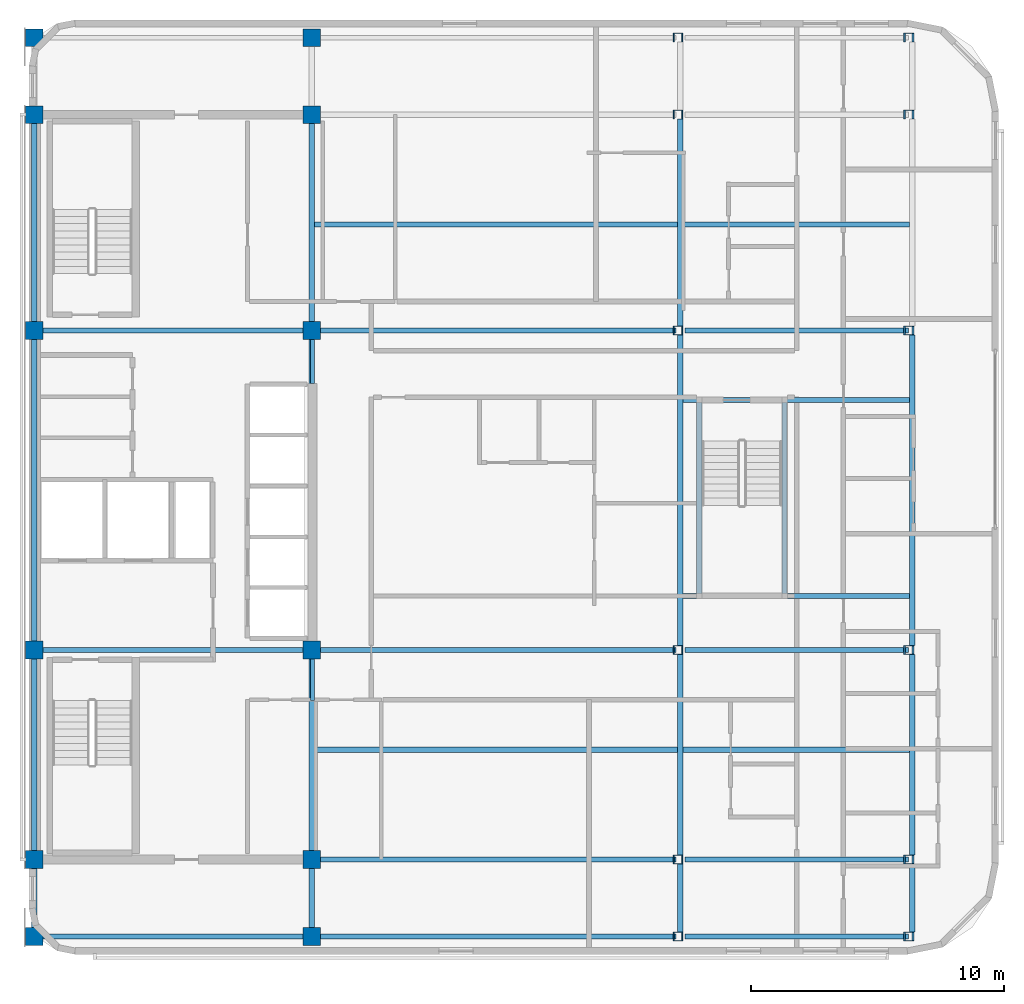
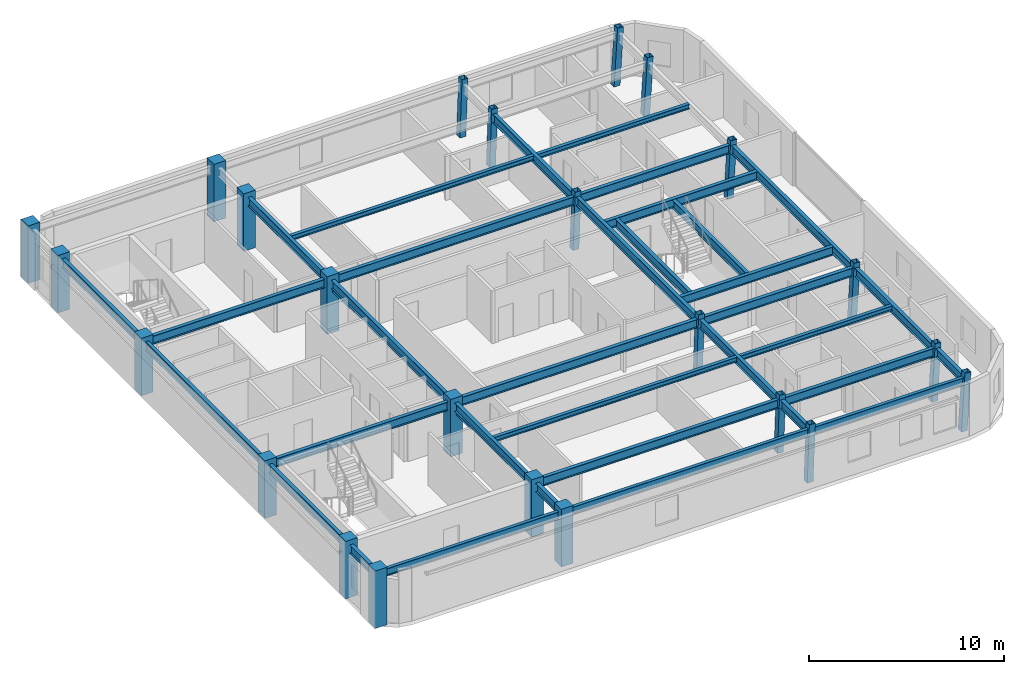
# One storey, part 1 of 11: 36 beams, 24 columns.
"""IFC4 building model written with IfcOpenShell, lengths in metres."""

from ifc_helpers import new_model, si_unit, direction, frame, origin, origin_2d, place, context, subcontext, project, spatial, rectangle, hollow_rectangle, i_section, extrude, material, material_profile, profile_set, type_object, element, save


model = new_model("IFC4")

# Units and contexts
model_context = context("Model", 3, precision=1e-05, world=origin(), true_north=direction((0.0, 1.0)))
body_context = subcontext(model_context, "Body", "Model", "MODEL_VIEW")
ifc_project = project(units=[si_unit("LENGTHUNIT", "METRE"), si_unit("AREAUNIT", "SQUARE_METRE"), si_unit("VOLUMEUNIT", "CUBIC_METRE"), si_unit("PLANEANGLEUNIT", "RADIAN"), si_unit("MASSUNIT", "GRAM", prefix="KILO")], contexts=[model_context])

# Site, building, storey
site_placement = place(None, origin())
site = spatial("IfcSite", under=ifc_project, at=site_placement, CompositionType="ELEMENT")
building_placement = place(site_placement, origin())
building = spatial("IfcBuilding", under=site, at=building_placement, Name="Ochreholt Gables", CompositionType="ELEMENT")
storey_placement = place(building_placement, frame((0.0, 0.0, 278.39990234375)))
storey = spatial("IfcBuildingStorey", under=building, at=storey_placement, Name="L73", CompositionType="ELEMENT", Elevation=278.39990234375)

# Columns
ifc_material_1 = material(Name="Steel CSA G40.21 350W", Category="steel")
ifc_material_profile_1 = material_profile(ifc_material_1, hollow_rectangle(XDim=0.35595703125, YDim=0.35595703125, WallThickness=0.01611328125, at=origin_2d()), Name="HSS356X356X16")
ifc_profile_set_1 = profile_set([ifc_material_profile_1], Name="Steel CSA G40.21 350W")
column_type_1 = type_object("IfcColumnType", Name="COL-HSS356-RAK", PredefinedType="COLUMN", material=ifc_profile_set_1)
for number, where, z_axis, x_axis, name in (
    (1, (49.679931640625, 9.25, 0.0), (0.034971136209, 0.0, 0.999388322742), (0.0, 1.0, 0.0), "L73 Column EMY2"),
    (2, (49.679931640625, 17.550048828125, 0.0), (0.034971136209, 0.0, 0.999388322742), (0.0, 1.0, 0.0), "L73 Column EMY3"),
    (3, (49.679931640625, 30.199951171875, 0.0), (0.034971136209, 0.0, 0.999388322742), (0.0, 1.0, 0.0), "L73 Column EMY4"),
    (4, (49.679931640625, 38.75, 0.0), (0.034971136209, 0.0, 0.999388322742), (0.0, 1.0, 0.0), "L73 Column EMY5"),
):
    element("IfcColumn", number, at=place(storey_placement, frame(where, z_axis=z_axis, x_axis=x_axis)), inside=storey, type_object=column_type_1, Name=name, PredefinedType="COLUMN", context=body_context, shape_type="SweptSolid", body=[
        extrude(hollow_rectangle(XDim=0.35595703125, YDim=0.35595703125, WallThickness=0.01611328125, at=origin_2d()), origin(), (0.0, 0.0, 1.0), 3.602294921875),
    ])
ifc_material_profile_2 = material_profile(ifc_material_1, hollow_rectangle(XDim=0.35595703125, YDim=0.35595703125, WallThickness=0.01611328125, at=origin_2d()), Name="HSS356X356X16")
ifc_profile_set_2 = profile_set([ifc_material_profile_2], Name="Steel CSA G40.21 350W")
column_type_2 = type_object("IfcColumnType", Name="COL-HSS356-RAKE", PredefinedType="COLUMN", material=ifc_profile_set_2)
for number, where, z_axis, x_axis, name in (
    (5, (49.679931640625, 6.199951171875, 0.0), (0.034971136209, 0.0, 0.999388322742), (0.0, 1.0, 0.0), "L73 Column EMY1"),
    (6, (49.679931640625, 41.800048828125, 0.0), (0.034971136209, 0.0, 0.999388322742), (0.0, 1.0, 0.0), "L73 Column EMY6"),
):
    element("IfcColumn", number, at=place(storey_placement, frame(where, z_axis=z_axis, x_axis=x_axis)), inside=storey, type_object=column_type_2, Name=name, PredefinedType="COLUMN", context=body_context, shape_type="SweptSolid", body=[
        extrude(hollow_rectangle(XDim=0.35595703125, YDim=0.35595703125, WallThickness=0.01611328125, at=origin_2d()), origin(), (0.0, 0.0, 1.0), 3.602294921875),
    ])
for number, where, z_axis, x_axis, name in (
    (7, (58.803955078125, 6.199951171875, 0.0), (0.057884606321, 0.0, 0.998323280481), (0.0, 1.0, 0.0), "L73 Column EEY1"),
    (8, (58.803955078125, 9.25, 0.0), (0.057884606321, 0.0, 0.998323280481), (0.0, 1.0, 0.0), "L73 Column EEY2"),
    (9, (58.803955078125, 17.550048828125, 0.0), (0.057884606321, 0.0, 0.998323280481), (0.0, 1.0, 0.0), "L73 Column EEY3"),
    (10, (58.803955078125, 30.199951171875, 0.0), (0.057884606321, 0.0, 0.998323280481), (0.0, 1.0, 0.0), "L73 Column EEY4"),
    (11, (58.803955078125, 38.75, 0.0), (0.057884606321, 0.0, 0.998323280481), (0.0, 1.0, 0.0), "L73 Column EEY5"),
    (12, (58.803955078125, 41.800048828125, 0.0), (0.057884606321, 0.0, 0.998323280481), (0.0, 1.0, 0.0), "L73 Column EEY6"),
):
    element("IfcColumn", number, at=place(storey_placement, frame(where, z_axis=z_axis, x_axis=x_axis)), inside=storey, type_object=column_type_2, Name=name, PredefinedType="COLUMN", context=body_context, shape_type="SweptSolid", body=[
        extrude(hollow_rectangle(XDim=0.35595703125, YDim=0.35595703125, WallThickness=0.01611328125, at=origin_2d()), origin(), (0.0, 0.0, 1.0), 3.606201171875),
    ])
ifc_material_2 = material(Name="Concrete 50 MPa", Category="concrete")
ifc_material_profile_3 = material_profile(ifc_material_2, rectangle(XDim=0.699951171875, YDim=0.699951171875, at=origin_2d()), Name="RC700X700")
ifc_profile_set_3 = profile_set([ifc_material_profile_3], Name="Concrete 50 MPa")
column_type_3 = type_object("IfcColumnType", Name="COL-RC700-EXT", PredefinedType="COLUMN", material=ifc_profile_set_3)
for number, where, z_axis, x_axis, name in (
    (13, (24.199951171875, 6.199951171875, 0.0), (0.0, 0.0, 1.0), (1.0, 0.0, 0.0), "L73 Column C1Y1"),
    (14, (24.199951171875, 9.25, 0.0), (0.0, 0.0, 1.0), (1.0, 0.0, 0.0), "L73 Column C1Y2"),
    (15, (24.199951171875, 17.550048828125, 0.0), (0.0, 0.0, 1.0), (1.0, 0.0, 0.0), "L73 Column C1Y3"),
    (16, (24.199951171875, 30.199951171875, 0.0), (0.0, 0.0, 1.0), (1.0, 0.0, 0.0), "L73 Column C1Y4"),
    (17, (24.199951171875, 38.75, 0.0), (0.0, 0.0, 1.0), (1.0, 0.0, 0.0), "L73 Column C1Y5"),
    (18, (24.199951171875, 41.800048828125, 0.0), (0.0, 0.0, 1.0), (1.0, 0.0, 0.0), "L73 Column C1Y6"),
    (19, (35.199951171875, 6.199951171875, 0.0), (0.0, 0.0, 1.0), (1.0, 0.0, 0.0), "L73 Column C2Y1"),
    (20, (35.199951171875, 41.800048828125, 0.0), (0.0, 0.0, 1.0), (1.0, 0.0, 0.0), "L73 Column C2Y6"),
):
    element("IfcColumn", number, at=place(storey_placement, frame(where, z_axis=z_axis, x_axis=x_axis)), inside=storey, type_object=column_type_3, Name=name, PredefinedType="COLUMN", context=body_context, shape_type="SweptSolid", body=[
        extrude(rectangle(XDim=0.699951171875, YDim=0.699951171875, at=origin_2d()), origin(), (0.0, 0.0, 1.0), 3.60009765625),
    ])
ifc_material_profile_4 = material_profile(ifc_material_2, rectangle(XDim=0.699951171875, YDim=0.699951171875, at=origin_2d()), Name="RC700X700")
ifc_profile_set_4 = profile_set([ifc_material_profile_4], Name="Concrete 50 MPa")
column_type_4 = type_object("IfcColumnType", Name="COL-RC700-INT", PredefinedType="COLUMN", material=ifc_profile_set_4)
for number, where, z_axis, x_axis, name in (
    (21, (35.199951171875, 9.25, 0.0), (0.0, 0.0, 1.0), (1.0, 0.0, 0.0), "L73 Column C2Y2"),
    (22, (35.199951171875, 17.550048828125, 0.0), (0.0, 0.0, 1.0), (1.0, 0.0, 0.0), "L73 Column C2Y3"),
    (23, (35.199951171875, 30.199951171875, 0.0), (0.0, 0.0, 1.0), (1.0, 0.0, 0.0), "L73 Column C2Y4"),
    (24, (35.199951171875, 38.75, 0.0), (0.0, 0.0, 1.0), (1.0, 0.0, 0.0), "L73 Column C2Y5"),
):
    element("IfcColumn", number, at=place(storey_placement, frame(where, z_axis=z_axis, x_axis=x_axis)), inside=storey, type_object=column_type_4, Name=name, PredefinedType="COLUMN", context=body_context, shape_type="SweptSolid", body=[
        extrude(rectangle(XDim=0.699951171875, YDim=0.699951171875, at=origin_2d()), origin(), (0.0, 0.0, 1.0), 3.60009765625),
    ])

# Beams
ifc_material_profile_5 = material_profile(ifc_material_1, i_section(OverallWidth=0.2109375, OverallDepth=0.5390625, WebThickness=0.01171875, FlangeThickness=0.018798828125, at=origin_2d()), Name="W530X109")
ifc_profile_set_5 = profile_set([ifc_material_profile_5], Name="Steel CSA G40.21 350W")
beam_type_1 = type_object("IfcBeamType", Name="BM-G-W530A", PredefinedType="BEAM", material=ifc_profile_set_5)
beam_1_placement = place(storey_placement, frame((35.549560546875, 9.25, 3.030517578125), z_axis=(1.0, 0.0, 0.0), x_axis=(0.0, 1.0, 0.0)))
element("IfcBeam", 25, at=beam_1_placement, inside=storey, type_object=beam_type_1, Name="L73 Beam TBG-L73-C2EM-Y2", PredefinedType="BEAM", context=body_context, shape_type="SweptSolid", body=[
    extrude(i_section(OverallWidth=0.2109375, OverallDepth=0.5390625, WebThickness=0.01171875, FlangeThickness=0.018798828125, at=origin_2d()), origin(), (0.0, 0.0, 1.0), 14.078857421875),
])
beam_2_placement = place(storey_placement, frame((49.983642578125, 9.25, 3.030517578125), z_axis=(1.0, 0.0, 0.0), x_axis=(0.0, 1.0, 0.0)))
element("IfcBeam", 26, at=beam_2_placement, inside=storey, type_object=beam_type_1, Name="L73 Beam TBG-L73-EMEE-Y2", PredefinedType="BEAM", context=body_context, shape_type="SweptSolid", body=[
    extrude(i_section(OverallWidth=0.2109375, OverallDepth=0.5390625, WebThickness=0.01171875, FlangeThickness=0.018798828125, at=origin_2d()), origin(), (0.0, 0.0, 1.0), 8.8515625),
])
beam_3_placement = place(storey_placement, frame((24.549560546875, 17.550048828125, 3.030517578125), z_axis=(1.0, 0.0, 0.0), x_axis=(0.0, 1.0, 0.0)))
element("IfcBeam", 27, at=beam_3_placement, inside=storey, type_object=beam_type_1, Name="L73 Beam TBG-L73-C1C2-Y3", PredefinedType="BEAM", context=body_context, shape_type="SweptSolid", body=[
    extrude(i_section(OverallWidth=0.2109375, OverallDepth=0.5390625, WebThickness=0.01171875, FlangeThickness=0.018798828125, at=origin_2d()), origin(), (0.0, 0.0, 1.0), 10.30078125),
])
beam_4_placement = place(storey_placement, frame((35.549560546875, 17.550048828125, 3.030517578125), z_axis=(1.0, 0.0, 0.0), x_axis=(0.0, 1.0, 0.0)))
element("IfcBeam", 28, at=beam_4_placement, inside=storey, type_object=beam_type_1, Name="L73 Beam TBG-L73-C2EM-Y3", PredefinedType="BEAM", context=body_context, shape_type="SweptSolid", body=[
    extrude(i_section(OverallWidth=0.2109375, OverallDepth=0.5390625, WebThickness=0.01171875, FlangeThickness=0.018798828125, at=origin_2d()), origin(), (0.0, 0.0, 1.0), 14.078857421875),
])
beam_5_placement = place(storey_placement, frame((49.983642578125, 17.550048828125, 3.030517578125), z_axis=(1.0, 0.0, 0.0), x_axis=(0.0, 1.0, 0.0)))
element("IfcBeam", 29, at=beam_5_placement, inside=storey, type_object=beam_type_1, Name="L73 Beam TBG-L73-EMEE-Y3", PredefinedType="BEAM", context=body_context, shape_type="SweptSolid", body=[
    extrude(i_section(OverallWidth=0.2109375, OverallDepth=0.5390625, WebThickness=0.01171875, FlangeThickness=0.018798828125, at=origin_2d()), origin(), (0.0, 0.0, 1.0), 8.8515625),
])
beam_6_placement = place(storey_placement, frame((24.549560546875, 30.199951171875, 3.030517578125), z_axis=(1.0, 0.0, 0.0), x_axis=(0.0, 1.0, 0.0)))
element("IfcBeam", 30, at=beam_6_placement, inside=storey, type_object=beam_type_1, Name="L73 Beam TBG-L73-C1C2-Y4", PredefinedType="BEAM", context=body_context, shape_type="SweptSolid", body=[
    extrude(i_section(OverallWidth=0.2109375, OverallDepth=0.5390625, WebThickness=0.01171875, FlangeThickness=0.018798828125, at=origin_2d()), origin(), (0.0, 0.0, 1.0), 10.30078125),
])
beam_7_placement = place(storey_placement, frame((35.549560546875, 30.199951171875, 3.030517578125), z_axis=(1.0, 0.0, 0.0), x_axis=(0.0, 1.0, 0.0)))
element("IfcBeam", 31, at=beam_7_placement, inside=storey, type_object=beam_type_1, Name="L73 Beam TBG-L73-C2EM-Y4", PredefinedType="BEAM", context=body_context, shape_type="SweptSolid", body=[
    extrude(i_section(OverallWidth=0.2109375, OverallDepth=0.5390625, WebThickness=0.01171875, FlangeThickness=0.018798828125, at=origin_2d()), origin(), (0.0, 0.0, 1.0), 14.078857421875),
])
beam_8_placement = place(storey_placement, frame((49.983642578125, 30.199951171875, 3.030517578125), z_axis=(1.0, 0.0, 0.0), x_axis=(0.0, 1.0, 0.0)))
element("IfcBeam", 32, at=beam_8_placement, inside=storey, type_object=beam_type_1, Name="L73 Beam TBG-L73-EMEE-Y4", PredefinedType="BEAM", context=body_context, shape_type="SweptSolid", body=[
    extrude(i_section(OverallWidth=0.2109375, OverallDepth=0.5390625, WebThickness=0.01171875, FlangeThickness=0.018798828125, at=origin_2d()), origin(), (0.0, 0.0, 1.0), 8.8515625),
])
beam_9_placement = place(storey_placement, frame((24.199951171875, 6.549560546875, 3.030517578125), z_axis=(0.0, 1.0, 0.0), x_axis=(-1.0, 0.0, 0.0)))
element("IfcBeam", 33, at=beam_9_placement, inside=storey, type_object=beam_type_1, Name="L73 Beam TBN-L73-C1-Y1Y2", PredefinedType="BEAM", context=body_context, shape_type="SweptSolid", body=[
    extrude(i_section(OverallWidth=0.2109375, OverallDepth=0.5390625, WebThickness=0.01171875, FlangeThickness=0.018798828125, at=origin_2d()), origin(), (0.0, 0.0, 1.0), 2.350830078125),
])
beam_10_placement = place(storey_placement, frame((24.199951171875, 9.599609375, 3.030517578125), z_axis=(0.0, 1.0, 0.0), x_axis=(-1.0, 0.0, 0.0)))
element("IfcBeam", 34, at=beam_10_placement, inside=storey, type_object=beam_type_1, Name="L73 Beam TBN-L73-C1-Y2Y3", PredefinedType="BEAM", context=body_context, shape_type="SweptSolid", body=[
    extrude(i_section(OverallWidth=0.2109375, OverallDepth=0.5390625, WebThickness=0.01171875, FlangeThickness=0.018798828125, at=origin_2d()), origin(), (0.0, 0.0, 1.0), 7.600830078125),
])
beam_11_placement = place(storey_placement, frame((24.199951171875, 17.899658203125, 3.030517578125), z_axis=(0.0, 1.0, 0.0), x_axis=(-1.0, 0.0, 0.0)))
element("IfcBeam", 35, at=beam_11_placement, inside=storey, type_object=beam_type_1, Name="L73 Beam TBN-L73-C1-Y3Y4", PredefinedType="BEAM", context=body_context, shape_type="SweptSolid", body=[
    extrude(i_section(OverallWidth=0.2109375, OverallDepth=0.5390625, WebThickness=0.01171875, FlangeThickness=0.018798828125, at=origin_2d()), origin(), (0.0, 0.0, 1.0), 11.95068359375),
])
beam_12_placement = place(storey_placement, frame((24.199951171875, 30.549560546875, 3.030517578125), z_axis=(0.0, 1.0, 0.0), x_axis=(-1.0, 0.0, 0.0)))
element("IfcBeam", 36, at=beam_12_placement, inside=storey, type_object=beam_type_1, Name="L73 Beam TBN-L73-C1-Y4Y5", PredefinedType="BEAM", context=body_context, shape_type="SweptSolid", body=[
    extrude(i_section(OverallWidth=0.2109375, OverallDepth=0.5390625, WebThickness=0.01171875, FlangeThickness=0.018798828125, at=origin_2d()), origin(), (0.0, 0.0, 1.0), 7.850830078125),
])
beam_13_placement = place(storey_placement, frame((35.199951171875, 6.549560546875, 3.030517578125), z_axis=(0.0, 1.0, 0.0), x_axis=(-1.0, 0.0, 0.0)))
element("IfcBeam", 37, at=beam_13_placement, inside=storey, type_object=beam_type_1, Name="L73 Beam TBN-L73-C2-Y1Y2", PredefinedType="BEAM", context=body_context, shape_type="SweptSolid", body=[
    extrude(i_section(OverallWidth=0.2109375, OverallDepth=0.5390625, WebThickness=0.01171875, FlangeThickness=0.018798828125, at=origin_2d()), origin(), (0.0, 0.0, 1.0), 2.350830078125),
])
beam_14_placement = place(storey_placement, frame((35.199951171875, 9.599609375, 3.030517578125), z_axis=(0.0, 1.0, 0.0), x_axis=(-1.0, 0.0, 0.0)))
element("IfcBeam", 38, at=beam_14_placement, inside=storey, type_object=beam_type_1, Name="L73 Beam TBN-L73-C2-Y2Y3", PredefinedType="BEAM", context=body_context, shape_type="SweptSolid", body=[
    extrude(i_section(OverallWidth=0.2109375, OverallDepth=0.5390625, WebThickness=0.01171875, FlangeThickness=0.018798828125, at=origin_2d()), origin(), (0.0, 0.0, 1.0), 7.600830078125),
])
beam_15_placement = place(storey_placement, frame((35.199951171875, 17.899658203125, 3.030517578125), z_axis=(0.0, 1.0, 0.0), x_axis=(-1.0, 0.0, 0.0)))
element("IfcBeam", 39, at=beam_15_placement, inside=storey, type_object=beam_type_1, Name="L73 Beam TBN-L73-C2-Y3Y4", PredefinedType="BEAM", context=body_context, shape_type="SweptSolid", body=[
    extrude(i_section(OverallWidth=0.2109375, OverallDepth=0.5390625, WebThickness=0.01171875, FlangeThickness=0.018798828125, at=origin_2d()), origin(), (0.0, 0.0, 1.0), 11.95068359375),
])
beam_16_placement = place(storey_placement, frame((35.199951171875, 30.549560546875, 3.030517578125), z_axis=(0.0, 1.0, 0.0), x_axis=(-1.0, 0.0, 0.0)))
element("IfcBeam", 40, at=beam_16_placement, inside=storey, type_object=beam_type_1, Name="L73 Beam TBN-L73-C2-Y4Y5", PredefinedType="BEAM", context=body_context, shape_type="SweptSolid", body=[
    extrude(i_section(OverallWidth=0.2109375, OverallDepth=0.5390625, WebThickness=0.01171875, FlangeThickness=0.018798828125, at=origin_2d()), origin(), (0.0, 0.0, 1.0), 7.850830078125),
])
beam_17_placement = place(storey_placement, frame((49.78662109375, 6.377685546875, 3.030517578125), z_axis=(0.0, 1.0, 0.0), x_axis=(-1.0, 0.0, 0.0)))
element("IfcBeam", 41, at=beam_17_placement, inside=storey, type_object=beam_type_1, Name="L73 Beam TBN-L73-EM-Y1Y2", PredefinedType="BEAM", context=body_context, shape_type="SweptSolid", body=[
    extrude(i_section(OverallWidth=0.2109375, OverallDepth=0.5390625, WebThickness=0.01171875, FlangeThickness=0.018798828125, at=origin_2d()), origin(), (0.0, 0.0, 1.0), 2.69482421875),
])
beam_18_placement = place(storey_placement, frame((49.78662109375, 9.427490234375, 3.030517578125), z_axis=(0.0, 1.0, 0.0), x_axis=(-1.0, 0.0, 0.0)))
element("IfcBeam", 42, at=beam_18_placement, inside=storey, type_object=beam_type_1, Name="L73 Beam TBN-L73-EM-Y2Y3", PredefinedType="BEAM", context=body_context, shape_type="SweptSolid", body=[
    extrude(i_section(OverallWidth=0.2109375, OverallDepth=0.5390625, WebThickness=0.01171875, FlangeThickness=0.018798828125, at=origin_2d()), origin(), (0.0, 0.0, 1.0), 7.94482421875),
])
beam_19_placement = place(storey_placement, frame((49.78662109375, 17.7275390625, 3.030517578125), z_axis=(0.0, 1.0, 0.0), x_axis=(-1.0, 0.0, 0.0)))
element("IfcBeam", 43, at=beam_19_placement, inside=storey, type_object=beam_type_1, Name="L73 Beam TBN-L73-EM-Y3Y4", PredefinedType="BEAM", context=body_context, shape_type="SweptSolid", body=[
    extrude(i_section(OverallWidth=0.2109375, OverallDepth=0.5390625, WebThickness=0.01171875, FlangeThickness=0.018798828125, at=origin_2d()), origin(), (0.0, 0.0, 1.0), 12.294921875),
])
beam_20_placement = place(storey_placement, frame((49.78662109375, 30.377685546875, 3.030517578125), z_axis=(0.0, 1.0, 0.0), x_axis=(-1.0, 0.0, 0.0)))
element("IfcBeam", 44, at=beam_20_placement, inside=storey, type_object=beam_type_1, Name="L73 Beam TBN-L73-EM-Y4Y5", PredefinedType="BEAM", context=body_context, shape_type="SweptSolid", body=[
    extrude(i_section(OverallWidth=0.2109375, OverallDepth=0.5390625, WebThickness=0.01171875, FlangeThickness=0.018798828125, at=origin_2d()), origin(), (0.0, 0.0, 1.0), 8.19482421875),
])
beam_21_placement = place(storey_placement, frame((58.98095703125, 6.377685546875, 3.030517578125), z_axis=(0.0, 1.0, 0.0), x_axis=(-1.0, 0.0, 0.0)))
element("IfcBeam", 45, at=beam_21_placement, inside=storey, type_object=beam_type_1, Name="L73 Beam TBN-L73-EE-Y1Y2", PredefinedType="BEAM", context=body_context, shape_type="SweptSolid", body=[
    extrude(i_section(OverallWidth=0.2109375, OverallDepth=0.5390625, WebThickness=0.01171875, FlangeThickness=0.018798828125, at=origin_2d()), origin(), (0.0, 0.0, 1.0), 2.69482421875),
])
beam_22_placement = place(storey_placement, frame((58.98095703125, 9.427490234375, 3.030517578125), z_axis=(0.0, 1.0, 0.0), x_axis=(-1.0, 0.0, 0.0)))
element("IfcBeam", 46, at=beam_22_placement, inside=storey, type_object=beam_type_1, Name="L73 Beam TBN-L73-EE-Y2Y3", PredefinedType="BEAM", context=body_context, shape_type="SweptSolid", body=[
    extrude(i_section(OverallWidth=0.2109375, OverallDepth=0.5390625, WebThickness=0.01171875, FlangeThickness=0.018798828125, at=origin_2d()), origin(), (0.0, 0.0, 1.0), 7.94482421875),
])
beam_23_placement = place(storey_placement, frame((58.98095703125, 17.7275390625, 3.030517578125), z_axis=(0.0, 1.0, 0.0), x_axis=(-1.0, 0.0, 0.0)))
element("IfcBeam", 47, at=beam_23_placement, inside=storey, type_object=beam_type_1, Name="L73 Beam TBN-L73-EE-Y3Y4", PredefinedType="BEAM", context=body_context, shape_type="SweptSolid", body=[
    extrude(i_section(OverallWidth=0.2109375, OverallDepth=0.5390625, WebThickness=0.01171875, FlangeThickness=0.018798828125, at=origin_2d()), origin(), (0.0, 0.0, 1.0), 12.294921875),
])
for number, where, z_axis, x_axis, name in (
    (48, (49.891845703125, 19.68994140625, 3.030517578125), (1.0, 0.0, 0.0), (0.0, 1.0, 0.0), "L73 Beam TBH-L73-ST-C7-FSTUS"),
    (49, (49.891845703125, 27.449951171875, 3.030517578125), (1.0, 0.0, 0.0), (0.0, 1.0, 0.0), "L73 Beam TBH-L73-ST-C7-FSTUN"),
):
    element("IfcBeam", number, at=place(storey_placement, frame(where, z_axis=z_axis, x_axis=x_axis)), inside=storey, type_object=beam_type_1, Name=name, PredefinedType="BEAM", context=body_context, shape_type="SweptSolid", body=[
        extrude(i_section(OverallWidth=0.2109375, OverallDepth=0.5390625, WebThickness=0.01171875, FlangeThickness=0.018798828125, at=origin_2d()), origin(), (0.0, 0.0, 1.0), 8.98388671875),
    ])
for number, where, z_axis, x_axis, name in (
    (50, (50.5400390625, 19.795166015625, 3.030517578125), (0.0, 1.0, 0.0), (-1.0, 0.0, 0.0), "L73 Beam TBT-L73-ST-C7-FSTUW"),
    (51, (53.919921875, 19.795166015625, 3.030517578125), (0.0, 1.0, 0.0), (-1.0, 0.0, 0.0), "L73 Beam TBT-L73-ST-C7-FSTUE"),
):
    element("IfcBeam", number, at=place(storey_placement, frame(where, z_axis=z_axis, x_axis=x_axis)), inside=storey, type_object=beam_type_1, Name=name, PredefinedType="BEAM", context=body_context, shape_type="SweptSolid", body=[
        extrude(i_section(OverallWidth=0.2109375, OverallDepth=0.5390625, WebThickness=0.01171875, FlangeThickness=0.018798828125, at=origin_2d()), origin(), (0.0, 0.0, 1.0), 7.5498046875),
    ])
ifc_material_profile_6 = material_profile(ifc_material_1, i_section(OverallWidth=0.202880859375, OverallDepth=0.302978515625, WebThickness=0.007568359375, FlangeThickness=0.01318359375, at=origin_2d()), Name="W310X60")
ifc_profile_set_6 = profile_set([ifc_material_profile_6], Name="Steel CSA G40.21 350W")
beam_type_2 = type_object("IfcBeamType", Name="BM-J-W310", PredefinedType="JOIST", material=ifc_profile_set_6)
beam_24_placement = place(storey_placement, frame((35.30517578125, 13.60009765625, 3.148681640625), z_axis=(1.0, 0.0, 0.0), x_axis=(0.0, 1.0, 0.0)))
element("IfcBeam", 52, at=beam_24_placement, inside=storey, type_object=beam_type_2, Name="L73 Beam TBJ-L73-J1-C2EM", PredefinedType="JOIST", context=body_context, shape_type="SweptSolid", body=[
    extrude(i_section(OverallWidth=0.202880859375, OverallDepth=0.302978515625, WebThickness=0.007568359375, FlangeThickness=0.01318359375, at=origin_2d()), origin(), (0.0, 0.0, 1.0), 14.37646484375),
])
beam_25_placement = place(storey_placement, frame((49.891845703125, 13.60009765625, 3.148681640625), z_axis=(1.0, 0.0, 0.0), x_axis=(0.0, 1.0, 0.0)))
element("IfcBeam", 53, at=beam_25_placement, inside=storey, type_object=beam_type_2, Name="L73 Beam TBJ-L73-J1-EMEE", PredefinedType="JOIST", context=body_context, shape_type="SweptSolid", body=[
    extrude(i_section(OverallWidth=0.202880859375, OverallDepth=0.302978515625, WebThickness=0.007568359375, FlangeThickness=0.01318359375, at=origin_2d()), origin(), (0.0, 0.0, 1.0), 8.98388671875),
])
beam_26_placement = place(storey_placement, frame((35.30517578125, 34.39990234375, 3.148681640625), z_axis=(1.0, 0.0, 0.0), x_axis=(0.0, 1.0, 0.0)))
element("IfcBeam", 54, at=beam_26_placement, inside=storey, type_object=beam_type_2, Name="L73 Beam TBJ-L73-J2-C2EM", PredefinedType="JOIST", context=body_context, shape_type="SweptSolid", body=[
    extrude(i_section(OverallWidth=0.202880859375, OverallDepth=0.302978515625, WebThickness=0.007568359375, FlangeThickness=0.01318359375, at=origin_2d()), origin(), (0.0, 0.0, 1.0), 14.37646484375),
])
beam_27_placement = place(storey_placement, frame((49.891845703125, 34.39990234375, 3.148681640625), z_axis=(1.0, 0.0, 0.0), x_axis=(0.0, 1.0, 0.0)))
element("IfcBeam", 55, at=beam_27_placement, inside=storey, type_object=beam_type_2, Name="L73 Beam TBJ-L73-J2-EMEE", PredefinedType="JOIST", context=body_context, shape_type="SweptSolid", body=[
    extrude(i_section(OverallWidth=0.202880859375, OverallDepth=0.302978515625, WebThickness=0.007568359375, FlangeThickness=0.01318359375, at=origin_2d()), origin(), (0.0, 0.0, 1.0), 8.98388671875),
])
ifc_material_profile_7 = material_profile(ifc_material_1, i_section(OverallWidth=0.1650390625, OverallDepth=0.200927734375, WebThickness=0.006103515625, FlangeThickness=0.01025390625, at=origin_2d()), Name="W200X36")
ifc_profile_set_7 = profile_set([ifc_material_profile_7], Name="Steel CSA G40.21 350W")
beam_type_3 = type_object("IfcBeamType", Name="BM-LIN-W200", PredefinedType="LINTEL", material=ifc_profile_set_7)
beam_28_placement = place(storey_placement, frame((35.22509765625, 15.550048828125, 2.66064453125), z_axis=(0.0, 1.0, 0.0), x_axis=(-1.0, 0.0, 0.0)))
element("IfcBeam", 56, at=beam_28_placement, inside=storey, type_object=beam_type_3, Name="L73 Core Coupling Lintel CPS", PredefinedType="LINTEL", context=body_context, shape_type="SweptSolid", body=[
    extrude(i_section(OverallWidth=0.1650390625, OverallDepth=0.200927734375, WebThickness=0.006103515625, FlangeThickness=0.01025390625, at=origin_2d()), origin(), (0.0, 0.0, 1.0), 1.64990234375),
])
beam_29_placement = place(storey_placement, frame((35.22509765625, 28.10009765625, 2.66064453125), z_axis=(0.0, 1.0, 0.0), x_axis=(-1.0, 0.0, 0.0)))
element("IfcBeam", 57, at=beam_29_placement, inside=storey, type_object=beam_type_3, Name="L73 Core Coupling Lintel CPN", PredefinedType="LINTEL", context=body_context, shape_type="SweptSolid", body=[
    extrude(i_section(OverallWidth=0.1650390625, OverallDepth=0.200927734375, WebThickness=0.006103515625, FlangeThickness=0.01025390625, at=origin_2d()), origin(), (0.0, 0.0, 1.0), 1.75),
])
ifc_material_profile_8 = material_profile(ifc_material_1, i_section(OverallWidth=0.19189453125, OverallDepth=0.462890625, WebThickness=0.010498046875, FlangeThickness=0.017578125, at=origin_2d()), Name="W460X89")
ifc_profile_set_8 = profile_set([ifc_material_profile_8], Name="Steel CSA G40.21 350W")
beam_type_4 = type_object("IfcBeamType", Name="BM-SP-W460A", PredefinedType="SPANDREL", material=ifc_profile_set_8)
beam_30_placement = place(storey_placement, frame((24.549560546875, 6.199951171875, 3.068603515625), z_axis=(1.0, 0.0, 0.0), x_axis=(0.0, 1.0, 0.0)))
element("IfcBeam", 58, at=beam_30_placement, inside=storey, type_object=beam_type_4, Name="L73 Beam TBG-L73-C1C2-Y1", PredefinedType="SPANDREL", context=body_context, shape_type="SweptSolid", body=[
    extrude(i_section(OverallWidth=0.19189453125, OverallDepth=0.462890625, WebThickness=0.010498046875, FlangeThickness=0.017578125, at=origin_2d()), origin(), (0.0, 0.0, 1.0), 10.30078125),
])
beam_31_placement = place(storey_placement, frame((35.549560546875, 6.199951171875, 3.068603515625), z_axis=(1.0, 0.0, 0.0), x_axis=(0.0, 1.0, 0.0)))
element("IfcBeam", 59, at=beam_31_placement, inside=storey, type_object=beam_type_4, Name="L73 Beam TBG-L73-C2EM-Y1", PredefinedType="SPANDREL", context=body_context, shape_type="SweptSolid", body=[
    extrude(i_section(OverallWidth=0.19189453125, OverallDepth=0.462890625, WebThickness=0.010498046875, FlangeThickness=0.017578125, at=origin_2d()), origin(), (0.0, 0.0, 1.0), 14.078857421875),
])
beam_32_placement = place(storey_placement, frame((49.983642578125, 6.199951171875, 3.068603515625), z_axis=(1.0, 0.0, 0.0), x_axis=(0.0, 1.0, 0.0)))
element("IfcBeam", 60, at=beam_32_placement, inside=storey, type_object=beam_type_4, Name="L73 Beam TBG-L73-EMEE-Y1", PredefinedType="SPANDREL", context=body_context, shape_type="SweptSolid", body=[
    extrude(i_section(OverallWidth=0.19189453125, OverallDepth=0.462890625, WebThickness=0.010498046875, FlangeThickness=0.017578125, at=origin_2d()), origin(), (0.0, 0.0, 1.0), 8.8515625),
])

save(model, "model.ifc")
